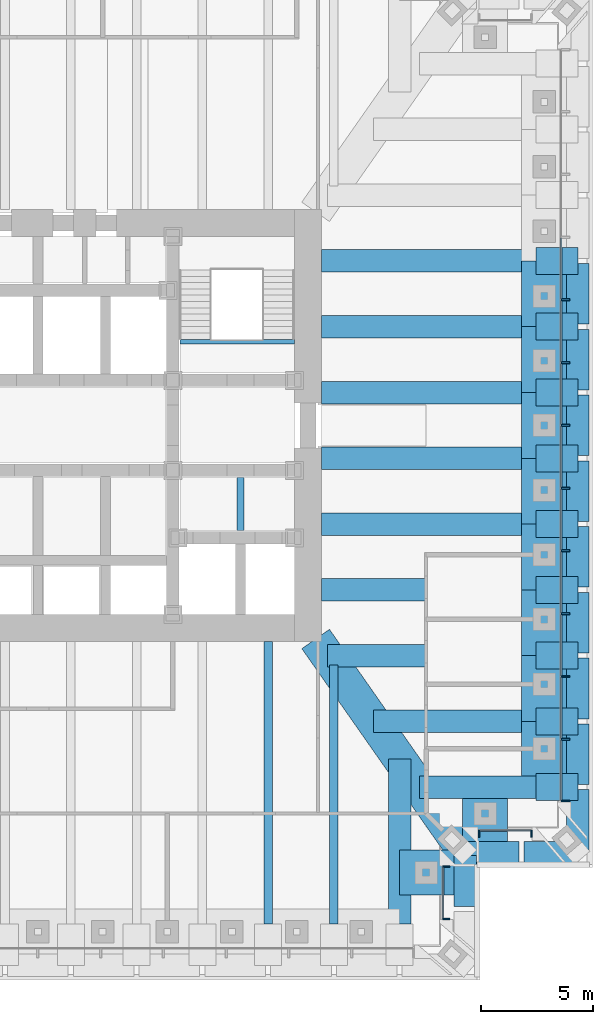
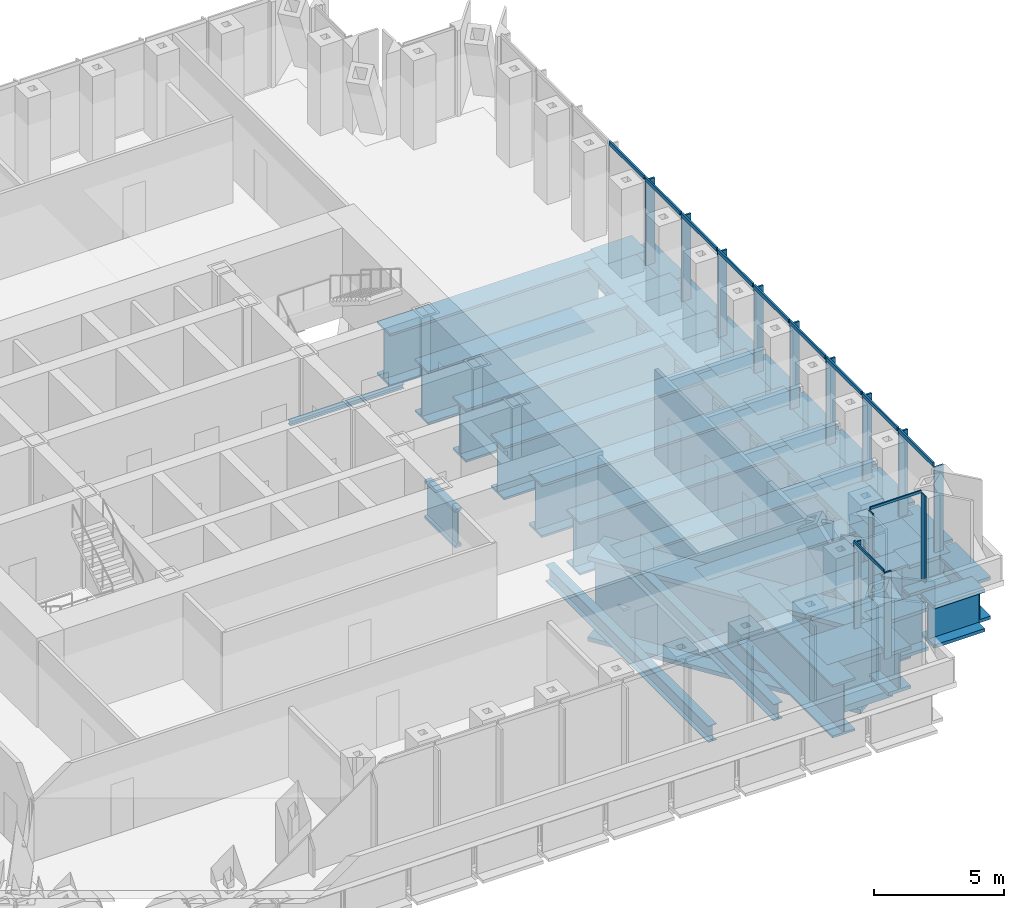
# One storey, part 4 of 13: 46 beams, 24 members, 3 elements without a shape of their own.
"""IFC4 building model written with IfcOpenShell, lengths in metres."""

from ifc_helpers import new_model, si_unit, direction, frame, origin, origin_2d, place, context, subcontext, project, spatial, rectangle, i_section, extrude, material, material_profile, profile_set, type_object, element, aggregate, save


model = new_model("IFC4")

# Units and contexts
model_context = context("Model", 3, precision=1e-05, world=origin(), true_north=direction((0.0, 1.0)))
body_context = subcontext(model_context, "Body", "Model", "MODEL_VIEW")
ifc_project = project(units=[si_unit("LENGTHUNIT", "METRE"), si_unit("AREAUNIT", "SQUARE_METRE"), si_unit("VOLUMEUNIT", "CUBIC_METRE"), si_unit("PLANEANGLEUNIT", "RADIAN"), si_unit("MASSUNIT", "GRAM", prefix="KILO")], contexts=[model_context])

# Site, building, storey
site_placement = place(None, origin())
site = spatial("IfcSite", under=ifc_project, at=site_placement, CompositionType="ELEMENT")
building_placement = place(site_placement, origin())
building = spatial("IfcBuilding", under=site, at=building_placement, Name="Daluyong Arena Tower", CompositionType="ELEMENT")
storey_placement = place(building_placement, frame((0.0, 0.0, 108.10009765625)))
storey = spatial("IfcBuildingStorey", under=building, at=storey_placement, Name="L23", CompositionType="ELEMENT", Elevation=108.10009765625)

# Curtain wall, members
ifc_material_1 = material(Name="Bronze anodised aluminium and glass", Category="aluminium")
curtain_wall_type_1 = type_object("IfcCurtainWallType", Name="Curtain wall CW2", PredefinedType="USERDEFINED", material=ifc_material_1)
curtain_wall_1_placement = place(storey_placement, origin())
curtain_wall_1 = element("IfcCurtainWall", 1, at=curtain_wall_1_placement, inside=storey, type_object=curtain_wall_type_1, Name="curtain wall L23 E", ObjectType="UNITISED CURTAIN WALL", PredefinedType="USERDEFINED")
ifc_material_2 = material(Name="Bronze anodised aluminium fin", Category="aluminium")
ifc_material_profile_1 = material_profile(ifc_material_2, rectangle(XDim=0.39990234375, YDim=0.080078125, at=origin_2d()))
ifc_profile_set_1 = profile_set([ifc_material_profile_1], Name="Bronze anodised aluminium fin")
member_type_1 = type_object("IfcMemberType", Name="CW2 bronze fin 400x80", PredefinedType="MULLION", material=ifc_profile_set_1)
member_1_placement = place(storey_placement, frame((79.449951171875, 63.305419921875, 0.0), z_axis=(0.0, 0.0, 1.0), x_axis=(-1.0, 0.0, 0.0)))
member_1 = element("IfcMember", 2, at=member_1_placement, type_object=member_type_1, Name="curtain wall L23 E fin 1", PredefinedType="MULLION", context=body_context, shape_type="SweptSolid", body=[
    extrude(rectangle(XDim=0.39990234375, YDim=0.080078125, at=origin_2d()), origin(), (0.0, 0.0, 1.0), 4.02001953125),
])
member_2_placement = place(storey_placement, frame((79.449951171875, 66.0546875, 0.0), z_axis=(0.0, 0.0, 1.0), x_axis=(-1.0, 0.0, 0.0)))
member_2 = element("IfcMember", 3, at=member_2_placement, type_object=member_type_1, Name="curtain wall L23 E fin 2", PredefinedType="MULLION", context=body_context, shape_type="SweptSolid", body=[
    extrude(rectangle(XDim=0.39990234375, YDim=0.080078125, at=origin_2d()), origin(), (0.0, 0.0, 1.0), 4.02001953125),
])
member_3_placement = place(storey_placement, frame((79.449951171875, 68.84375, 0.0), z_axis=(0.0, 0.0, 1.0), x_axis=(-1.0, 0.0, 0.0)))
member_3 = element("IfcMember", 4, at=member_3_placement, type_object=member_type_1, Name="curtain wall L23 E fin 3", PredefinedType="MULLION", context=body_context, shape_type="SweptSolid", body=[
    extrude(rectangle(XDim=0.39990234375, YDim=0.080078125, at=origin_2d()), origin(), (0.0, 0.0, 1.0), 4.02001953125),
])
member_4_placement = place(storey_placement, frame((79.449951171875, 71.6328125, 0.0), z_axis=(0.0, 0.0, 1.0), x_axis=(-1.0, 0.0, 0.0)))
member_4 = element("IfcMember", 5, at=member_4_placement, type_object=member_type_1, Name="curtain wall L23 E fin 4", PredefinedType="MULLION", context=body_context, shape_type="SweptSolid", body=[
    extrude(rectangle(XDim=0.39990234375, YDim=0.080078125, at=origin_2d()), origin(), (0.0, 0.0, 1.0), 4.02001953125),
])
member_5_placement = place(storey_placement, frame((79.449951171875, 74.421875, 0.0), z_axis=(0.0, 0.0, 1.0), x_axis=(-1.0, 0.0, 0.0)))
member_5 = element("IfcMember", 6, at=member_5_placement, type_object=member_type_1, Name="curtain wall L23 E fin 5", PredefinedType="MULLION", context=body_context, shape_type="SweptSolid", body=[
    extrude(rectangle(XDim=0.39990234375, YDim=0.080078125, at=origin_2d()), origin(), (0.0, 0.0, 1.0), 4.02001953125),
])
member_6_placement = place(storey_placement, frame((79.449951171875, 77.2109375, 0.0), z_axis=(0.0, 0.0, 1.0), x_axis=(-1.0, 0.0, 0.0)))
member_6 = element("IfcMember", 7, at=member_6_placement, type_object=member_type_1, Name="curtain wall L23 E fin 6", PredefinedType="MULLION", context=body_context, shape_type="SweptSolid", body=[
    extrude(rectangle(XDim=0.39990234375, YDim=0.080078125, at=origin_2d()), origin(), (0.0, 0.0, 1.0), 4.02001953125),
])
member_7_placement = place(storey_placement, frame((79.449951171875, 80.0, 0.0), z_axis=(0.0, 0.0, 1.0), x_axis=(-1.0, 0.0, 0.0)))
member_7 = element("IfcMember", 8, at=member_7_placement, type_object=member_type_1, Name="curtain wall L23 E fin 7", PredefinedType="MULLION", context=body_context, shape_type="SweptSolid", body=[
    extrude(rectangle(XDim=0.39990234375, YDim=0.080078125, at=origin_2d()), origin(), (0.0, 0.0, 1.0), 4.02001953125),
])
member_8_placement = place(storey_placement, frame((79.449951171875, 82.7890625, 0.0), z_axis=(0.0, 0.0, 1.0), x_axis=(-1.0, 0.0, 0.0)))
member_8 = element("IfcMember", 9, at=member_8_placement, type_object=member_type_1, Name="curtain wall L23 E fin 8", PredefinedType="MULLION", context=body_context, shape_type="SweptSolid", body=[
    extrude(rectangle(XDim=0.39990234375, YDim=0.080078125, at=origin_2d()), origin(), (0.0, 0.0, 1.0), 4.02001953125),
])
member_9_placement = place(storey_placement, frame((79.449951171875, 85.578125, 0.0), z_axis=(0.0, 0.0, 1.0), x_axis=(-1.0, 0.0, 0.0)))
member_9 = element("IfcMember", 10, at=member_9_placement, type_object=member_type_1, Name="curtain wall L23 E fin 9", PredefinedType="MULLION", context=body_context, shape_type="SweptSolid", body=[
    extrude(rectangle(XDim=0.39990234375, YDim=0.080078125, at=origin_2d()), origin(), (0.0, 0.0, 1.0), 4.02001953125),
])
ifc_material_3 = material(Name="Bronze anodised aluminium", Category="aluminium")
ifc_material_profile_2 = material_profile(ifc_material_3, rectangle(XDim=0.080078125, YDim=0.179931640625, at=origin_2d()))
ifc_profile_set_2 = profile_set([ifc_material_profile_2], Name="Bronze anodised aluminium")
member_type_2 = type_object("IfcMemberType", Name="CW2 stack transom 180x80", PredefinedType="USERDEFINED", material=ifc_profile_set_2)
member_10_placement = place(storey_placement, frame((79.25, 63.345458984375, 4.10986328125), z_axis=(0.0, 1.0, 0.0), x_axis=(-1.0, 0.0, 0.0)))
member_10 = element("IfcMember", 11, at=member_10_placement, type_object=member_type_2, Name="curtain wall L23 E transom 1", ObjectType="TRANSOM", PredefinedType="USERDEFINED", context=body_context, shape_type="SweptSolid", body=[
    extrude(rectangle(XDim=0.080078125, YDim=0.179931640625, at=origin_2d()), origin(), (0.0, 0.0, 1.0), 2.669189453125),
])
member_11_placement = place(storey_placement, frame((79.25, 66.094482421875, 4.10986328125), z_axis=(0.0, 1.0, 0.0), x_axis=(-1.0, 0.0, 0.0)))
member_11 = element("IfcMember", 12, at=member_11_placement, type_object=member_type_2, Name="curtain wall L23 E transom 2", ObjectType="TRANSOM", PredefinedType="USERDEFINED", context=body_context, shape_type="SweptSolid", body=[
    extrude(rectangle(XDim=0.080078125, YDim=0.179931640625, at=origin_2d()), origin(), (0.0, 0.0, 1.0), 2.709228515625),
])
member_12_placement = place(storey_placement, frame((79.25, 68.883544921875, 4.10986328125), z_axis=(0.0, 1.0, 0.0), x_axis=(-1.0, 0.0, 0.0)))
member_12 = element("IfcMember", 13, at=member_12_placement, type_object=member_type_2, Name="curtain wall L23 E transom 3", ObjectType="TRANSOM", PredefinedType="USERDEFINED", context=body_context, shape_type="SweptSolid", body=[
    extrude(rectangle(XDim=0.080078125, YDim=0.179931640625, at=origin_2d()), origin(), (0.0, 0.0, 1.0), 2.709228515625),
])
member_13_placement = place(storey_placement, frame((79.25, 71.6728515625, 4.10986328125), z_axis=(0.0, 1.0, 0.0), x_axis=(-1.0, 0.0, 0.0)))
member_13 = element("IfcMember", 14, at=member_13_placement, type_object=member_type_2, Name="curtain wall L23 E transom 4", ObjectType="TRANSOM", PredefinedType="USERDEFINED", context=body_context, shape_type="SweptSolid", body=[
    extrude(rectangle(XDim=0.080078125, YDim=0.179931640625, at=origin_2d()), origin(), (0.0, 0.0, 1.0), 2.708984375),
])
member_14_placement = place(storey_placement, frame((79.25, 74.4619140625, 4.10986328125), z_axis=(0.0, 1.0, 0.0), x_axis=(-1.0, 0.0, 0.0)))
member_14 = element("IfcMember", 15, at=member_14_placement, type_object=member_type_2, Name="curtain wall L23 E transom 5", ObjectType="TRANSOM", PredefinedType="USERDEFINED", context=body_context, shape_type="SweptSolid", body=[
    extrude(rectangle(XDim=0.080078125, YDim=0.179931640625, at=origin_2d()), origin(), (0.0, 0.0, 1.0), 2.708984375),
])
member_15_placement = place(storey_placement, frame((79.25, 77.2509765625, 4.10986328125), z_axis=(0.0, 1.0, 0.0), x_axis=(-1.0, 0.0, 0.0)))
member_15 = element("IfcMember", 16, at=member_15_placement, type_object=member_type_2, Name="curtain wall L23 E transom 6", ObjectType="TRANSOM", PredefinedType="USERDEFINED", context=body_context, shape_type="SweptSolid", body=[
    extrude(rectangle(XDim=0.080078125, YDim=0.179931640625, at=origin_2d()), origin(), (0.0, 0.0, 1.0), 2.708984375),
])
member_16_placement = place(storey_placement, frame((79.25, 80.0400390625, 4.10986328125), z_axis=(0.0, 1.0, 0.0), x_axis=(-1.0, 0.0, 0.0)))
member_16 = element("IfcMember", 17, at=member_16_placement, type_object=member_type_2, Name="curtain wall L23 E transom 7", ObjectType="TRANSOM", PredefinedType="USERDEFINED", context=body_context, shape_type="SweptSolid", body=[
    extrude(rectangle(XDim=0.080078125, YDim=0.179931640625, at=origin_2d()), origin(), (0.0, 0.0, 1.0), 2.708984375),
])
member_17_placement = place(storey_placement, frame((79.25, 82.8291015625, 4.10986328125), z_axis=(0.0, 1.0, 0.0), x_axis=(-1.0, 0.0, 0.0)))
member_17 = element("IfcMember", 18, at=member_17_placement, type_object=member_type_2, Name="curtain wall L23 E transom 8", ObjectType="TRANSOM", PredefinedType="USERDEFINED", context=body_context, shape_type="SweptSolid", body=[
    extrude(rectangle(XDim=0.080078125, YDim=0.179931640625, at=origin_2d()), origin(), (0.0, 0.0, 1.0), 2.708984375),
])
member_18_placement = place(storey_placement, frame((79.25, 85.6181640625, 4.10986328125), z_axis=(0.0, 1.0, 0.0), x_axis=(-1.0, 0.0, 0.0)))
member_18 = element("IfcMember", 19, at=member_18_placement, type_object=member_type_2, Name="curtain wall L23 E transom 9", ObjectType="TRANSOM", PredefinedType="USERDEFINED", context=body_context, shape_type="SweptSolid", body=[
    extrude(rectangle(XDim=0.080078125, YDim=0.179931640625, at=origin_2d()), origin(), (0.0, 0.0, 1.0), 2.708984375),
])
aggregate(curtain_wall_1, [member_1, member_2, member_3, member_4, member_5, member_6, member_7, member_8, member_9, member_10, member_11, member_12, member_13, member_14, member_15, member_16, member_17, member_18])

ifc_material_4 = material(Name="Bronze anodised aluminium and glass", Category="aluminium")
curtain_wall_type_2 = type_object("IfcCurtainWallType", Name="Curtain wall CW7", PredefinedType="USERDEFINED", material=ifc_material_4)
curtain_wall_2_placement = place(storey_placement, origin())
curtain_wall_2 = element("IfcCurtainWall", 20, at=curtain_wall_2_placement, inside=storey, type_object=curtain_wall_type_2, Name="curtain wall L23 SE-E", ObjectType="UNITISED CURTAIN WALL", PredefinedType="USERDEFINED")
ifc_material_5 = material(Name="Bronze anodised aluminium fin", Category="aluminium")
ifc_material_profile_3 = material_profile(ifc_material_5, rectangle(XDim=0.300048828125, YDim=0.06005859375, at=origin_2d()))
ifc_profile_set_3 = profile_set([ifc_material_profile_3], Name="Bronze anodised aluminium fin")
member_type_3 = type_object("IfcMemberType", Name="CW7 bronze fin 300x60", PredefinedType="MULLION", material=ifc_profile_set_3)
member_19_placement = place(storey_placement, frame((74.14990234375, 58.05908203125, 0.0), z_axis=(0.0, 0.0, 1.0), x_axis=(-1.0, 0.0, 0.0)))
member_19 = element("IfcMember", 21, at=member_19_placement, type_object=member_type_3, Name="curtain wall L23 SE-E fin 1", PredefinedType="MULLION", context=body_context, shape_type="SweptSolid", body=[
    extrude(rectangle(XDim=0.300048828125, YDim=0.06005859375, at=origin_2d()), origin(), (0.0, 0.0, 1.0), 4.079833984375),
])
member_20_placement = place(storey_placement, frame((74.14990234375, 60.39794921875, 0.0), z_axis=(0.0, 0.0, 1.0), x_axis=(-1.0, 0.0, 0.0)))
member_20 = element("IfcMember", 22, at=member_20_placement, type_object=member_type_3, Name="curtain wall L23 SE-E fin 2", PredefinedType="MULLION", context=body_context, shape_type="SweptSolid", body=[
    extrude(rectangle(XDim=0.300048828125, YDim=0.06005859375, at=origin_2d()), origin(), (0.0, 0.0, 1.0), 4.079833984375),
])

curtain_wall_3_placement = place(storey_placement, origin())
curtain_wall_3 = element("IfcCurtainWall", 23, at=curtain_wall_3_placement, inside=storey, type_object=curtain_wall_type_2, Name="curtain wall L23 SE-S", ObjectType="UNITISED CURTAIN WALL", PredefinedType="USERDEFINED")
member_21_placement = place(storey_placement, frame((75.60205078125, 61.85009765625, 0.0), z_axis=(0.0, 0.0, 1.0), x_axis=(0.0, 1.0, 0.0)))
member_21 = element("IfcMember", 24, at=member_21_placement, type_object=member_type_3, Name="curtain wall L23 SE-S fin 1", PredefinedType="MULLION", context=body_context, shape_type="SweptSolid", body=[
    extrude(rectangle(XDim=0.300048828125, YDim=0.06005859375, at=origin_2d()), origin(), (0.0, 0.0, 1.0), 4.079833984375),
])
member_22_placement = place(storey_placement, frame((77.94091796875, 61.85009765625, 0.0), z_axis=(0.0, 0.0, 1.0), x_axis=(0.0, 1.0, 0.0)))
member_22 = element("IfcMember", 25, at=member_22_placement, type_object=member_type_3, Name="curtain wall L23 SE-S fin 2", PredefinedType="MULLION", context=body_context, shape_type="SweptSolid", body=[
    extrude(rectangle(XDim=0.300048828125, YDim=0.06005859375, at=origin_2d()), origin(), (0.0, 0.0, 1.0), 4.079833984375),
])

# Member
ifc_material_6 = material(Name="Bronze anodised aluminium", Category="aluminium")
ifc_material_profile_4 = material_profile(ifc_material_6, rectangle(XDim=0.06005859375, YDim=0.1201171875, at=origin_2d()))
ifc_profile_set_4 = profile_set([ifc_material_profile_4], Name="Bronze anodised aluminium")
member_type_4 = type_object("IfcMemberType", Name="CW7 stack transom 120x60", PredefinedType="USERDEFINED", material=ifc_profile_set_4)
member_23_placement = place(storey_placement, frame((74.0, 58.089111328125, 4.139892578125), z_axis=(0.0, 1.0, 0.0), x_axis=(-1.0, 0.0, 0.0)))
member_23 = element("IfcMember", 26, at=member_23_placement, type_object=member_type_4, Name="curtain wall L23 SE-E transom 1", ObjectType="TRANSOM", PredefinedType="USERDEFINED", context=body_context, shape_type="SweptSolid", body=[
    extrude(rectangle(XDim=0.06005859375, YDim=0.1201171875, at=origin_2d()), origin(), (0.0, 0.0, 1.0), 2.27880859375),
])

aggregate(curtain_wall_2, [member_19, member_20, member_23])

member_24_placement = place(storey_placement, frame((75.632080078125, 62.0, 4.139892578125), z_axis=(1.0, 0.0, 0.0), x_axis=(0.0, 1.0, 0.0)))
member_24 = element("IfcMember", 27, at=member_24_placement, type_object=member_type_4, Name="curtain wall L23 SE-S transom 1", ObjectType="TRANSOM", PredefinedType="USERDEFINED", context=body_context, shape_type="SweptSolid", body=[
    extrude(rectangle(XDim=0.06005859375, YDim=0.1201171875, at=origin_2d()), origin(), (0.0, 0.0, 1.0), 2.27880859375),
])

aggregate(curtain_wall_3, [member_21, member_22, member_24])

# Beams
ifc_material_7 = material(Name="Steel ASTM A572 Grade 50", Category="steel")
ifc_material_profile_5 = material_profile(ifc_material_7, i_section(OverallWidth=1.0, OverallDepth=2.5, WebThickness=0.05, FlangeThickness=0.1, at=origin_2d()))
ifc_profile_set_5 = profile_set([ifc_material_profile_5], Name="Steel ASTM A572 Grade 50")
beam_type_1 = type_object("IfcBeamType", Name="Floor beam PG2500X1000", PredefinedType="BEAM", material=ifc_profile_set_5)
beam_1_placement = place(storey_placement, frame((72.076904296875, 57.85009765625, -1.5), z_axis=(0.0, 1.0, 0.0), x_axis=(-1.0, 0.0, 0.0)))
element("IfcBeam", 28, at=beam_1_placement, inside=storey, type_object=beam_type_1, Name="floor beam FB6", PredefinedType="BEAM", context=body_context, shape_type="SweptSolid", body=[
    extrude(i_section(OverallWidth=1.0, OverallDepth=2.5, WebThickness=0.05, FlangeThickness=0.1, at=origin_2d()), origin(), (0.0, 0.0, 1.0), 7.32568359375),
])
beam_2_placement = place(storey_placement, frame((78.14990234375, 63.923095703125, -1.5), z_axis=(-1.0, 0.0, 0.0), x_axis=(0.0, -1.0, 0.0)))
element("IfcBeam", 29, at=beam_2_placement, inside=storey, type_object=beam_type_1, Name="floor beam FB6", PredefinedType="BEAM", context=body_context, shape_type="SweptSolid", body=[
    extrude(i_section(OverallWidth=1.0, OverallDepth=2.5, WebThickness=0.05, FlangeThickness=0.1, at=origin_2d()), origin(), (0.0, 0.0, 1.0), 5.196044921875),
])
beam_3_placement = place(storey_placement, frame((78.14990234375, 66.84619140625, -1.5), z_axis=(-1.0, 0.0, 0.0), x_axis=(0.0, -1.0, 0.0)))
element("IfcBeam", 30, at=beam_3_placement, inside=storey, type_object=beam_type_1, Name="floor beam FB6", PredefinedType="BEAM", context=body_context, shape_type="SweptSolid", body=[
    extrude(i_section(OverallWidth=1.0, OverallDepth=2.5, WebThickness=0.05, FlangeThickness=0.1, at=origin_2d()), origin(), (0.0, 0.0, 1.0), 7.2421875),
])
beam_4_placement = place(storey_placement, frame((78.14990234375, 69.769287109375, -1.5), z_axis=(-1.0, 0.0, 0.0), x_axis=(0.0, -1.0, 0.0)))
element("IfcBeam", 31, at=beam_4_placement, inside=storey, type_object=beam_type_1, Name="floor beam FB6", PredefinedType="BEAM", context=body_context, shape_type="SweptSolid", body=[
    extrude(i_section(OverallWidth=1.0, OverallDepth=2.5, WebThickness=0.05, FlangeThickness=0.1, at=origin_2d()), origin(), (0.0, 0.0, 1.0), 9.288330078125),
])
for number, where, z_axis, x_axis, name in (
    (32, (78.14990234375, 72.6923828125, -1.5), (-1.0, 0.0, 0.0), (0.0, -1.0, 0.0), "floor beam FB6"),
    (33, (78.14990234375, 75.615478515625, -1.5), (-1.0, 0.0, 0.0), (0.0, -1.0, 0.0), "floor beam FB6"),
    (34, (78.14990234375, 78.53857421875, -1.5), (-1.0, 0.0, 0.0), (0.0, -1.0, 0.0), "floor beam FB6"),
    (35, (78.14990234375, 81.46142578125, -1.5), (-1.0, 0.0, 0.0), (0.0, -1.0, 0.0), "floor beam FB6"),
    (36, (78.14990234375, 84.384521484375, -1.5), (-1.0, 0.0, 0.0), (0.0, -1.0, 0.0), "floor beam FB6"),
    (37, (78.14990234375, 87.3076171875, -1.5), (-1.0, 0.0, 0.0), (0.0, -1.0, 0.0), "floor beam FB6"),
):
    element("IfcBeam", number, at=place(storey_placement, frame(where, z_axis=z_axis, x_axis=x_axis)), inside=storey, type_object=beam_type_1, Name=name, PredefinedType="BEAM", context=body_context, shape_type="SweptSolid", body=[
        extrude(i_section(OverallWidth=1.0, OverallDepth=2.5, WebThickness=0.05, FlangeThickness=0.1, at=origin_2d()), origin(), (0.0, 0.0, 1.0), 9.5498046875),
    ])
ifc_material_8 = material(Name="Steel ASTM A992 Grade 50", Category="steel")
ifc_material_profile_6 = material_profile(ifc_material_8, i_section(OverallWidth=0.381103515625, OverallDepth=0.772216796875, WebThickness=0.0166015625, FlangeThickness=0.027099609375, at=origin_2d()))
ifc_profile_set_6 = profile_set([ifc_material_profile_6], Name="Steel ASTM A992 Grade 50")
beam_type_2 = type_object("IfcBeamType", Name="Floor beam W30X173", PredefinedType="BEAM", material=ifc_profile_set_6)
beam_5_placement = place(storey_placement, frame((66.230712890625, 57.85009765625, -0.63623046875), z_axis=(0.0, 1.0, 0.0), x_axis=(-1.0, 0.0, 0.0)))
element("IfcBeam", 38, at=beam_5_placement, inside=storey, type_object=beam_type_2, Name="floor beam FB2", PredefinedType="BEAM", context=body_context, shape_type="SweptSolid", body=[
    extrude(i_section(OverallWidth=0.381103515625, OverallDepth=0.772216796875, WebThickness=0.0166015625, FlangeThickness=0.027099609375, at=origin_2d()), origin(), (0.0, 0.0, 1.0), 12.5498046875),
])
beam_6_placement = place(storey_placement, frame((69.15380859375, 57.85009765625, -0.63623046875), z_axis=(0.0, 1.0, 0.0), x_axis=(-1.0, 0.0, 0.0)))
element("IfcBeam", 39, at=beam_6_placement, inside=storey, type_object=beam_type_2, Name="floor beam FB2", PredefinedType="BEAM", context=body_context, shape_type="SweptSolid", body=[
    extrude(i_section(OverallWidth=0.381103515625, OverallDepth=0.772216796875, WebThickness=0.0166015625, FlangeThickness=0.027099609375, at=origin_2d()), origin(), (0.0, 0.0, 1.0), 11.50146484375),
])
ifc_material_9 = material(Name="Steel ASTM A588 Grade 50", Category="steel")
ifc_material_profile_7 = material_profile(ifc_material_9, i_section(OverallWidth=0.300048828125, OverallDepth=1.800048828125, WebThickness=0.05, FlangeThickness=0.12, at=origin_2d()))
ifc_profile_set_7 = profile_set([ifc_material_profile_7], Name="Steel ASTM A588 Grade 50")
beam_type_3 = type_object("IfcBeamType", Name="Lift divider beam PG1800X300", PredefinedType="BEAM", material=ifc_profile_set_7)
beam_7_placement = place(storey_placement, frame((65.0, 75.324951171875, -1.150146484375), z_axis=(0.0, 1.0, 0.0), x_axis=(-1.0, 0.0, 0.0)))
element("IfcBeam", 40, at=beam_7_placement, inside=storey, type_object=beam_type_3, Name="lift divider beam DB3", PredefinedType="BEAM", context=body_context, shape_type="SweptSolid", body=[
    extrude(i_section(OverallWidth=0.300048828125, OverallDepth=1.800048828125, WebThickness=0.05, FlangeThickness=0.12, at=origin_2d()), origin(), (0.0, 0.0, 1.0), 2.35009765625),
])
ifc_material_10 = material(Name="Steel ASTM A588 Grade 50", Category="steel")
ifc_material_profile_8 = material_profile(ifc_material_10, i_section(OverallWidth=1.0, OverallDepth=2.0, WebThickness=0.06, FlangeThickness=0.15, at=origin_2d()))
ifc_profile_set_8 = profile_set([ifc_material_profile_8], Name="Steel ASTM A588 Grade 50")
beam_type_4 = type_object("IfcBeamType", Name="Spandrel Z1 PG2000X1000", PredefinedType="SPANDREL", material=ifc_profile_set_8)
for number, where, z_axis, x_axis, name in (
    (41, (75.0, 58.614990234375, -1.25), (0.0, 1.0, 0.0), (-1.0, 0.0, 0.0), "spandrel z1 SB2"),
    (42, (75.114990234375, 61.0, -1.25), (1.0, 0.0, 0.0), (0.0, 1.0, 0.0), "spandrel z1 SB2"),
    (43, (77.614990234375, 61.0, -1.25), (1.0, 0.0, 0.0), (0.0, 1.0, 0.0), "spandrel z1 SB2"),
):
    element("IfcBeam", number, at=place(storey_placement, frame(where, z_axis=z_axis, x_axis=x_axis)), inside=storey, type_object=beam_type_4, Name=name, PredefinedType="SPANDREL", context=body_context, shape_type="SweptSolid", body=[
        extrude(i_section(OverallWidth=1.0, OverallDepth=2.0, WebThickness=0.06, FlangeThickness=0.15, at=origin_2d()), origin(), (0.0, 0.0, 1.0), 2.27001953125),
    ])
for number, where, z_axis, x_axis, name in (
    (44, (80.0, 61.114990234375, -1.25), (0.0, 1.0, 0.0), (-1.0, 0.0, 0.0), "spandrel z1 SB2"),
    (45, (80.0, 64.0380859375, -1.25), (0.0, 1.0, 0.0), (-1.0, 0.0, 0.0), "spandrel z1 SB2"),
    (46, (80.0, 66.961181640625, -1.25), (0.0, 1.0, 0.0), (-1.0, 0.0, 0.0), "spandrel z1 SB2"),
    (47, (80.0, 69.88427734375, -1.25), (0.0, 1.0, 0.0), (-1.0, 0.0, 0.0), "spandrel z1 SB2"),
    (48, (80.0, 72.807373046875, -1.25), (0.0, 1.0, 0.0), (-1.0, 0.0, 0.0), "spandrel z1 SB2"),
    (49, (80.0, 75.73046875, -1.25), (0.0, 1.0, 0.0), (-1.0, 0.0, 0.0), "spandrel z1 SB2"),
):
    element("IfcBeam", number, at=place(storey_placement, frame(where, z_axis=z_axis, x_axis=x_axis)), inside=storey, type_object=beam_type_4, Name=name, PredefinedType="SPANDREL", context=body_context, shape_type="SweptSolid", body=[
        extrude(i_section(OverallWidth=1.0, OverallDepth=2.0, WebThickness=0.06, FlangeThickness=0.15, at=origin_2d()), origin(), (0.0, 0.0, 1.0), 2.693115234375),
    ])
beam_8_placement = place(storey_placement, frame((80.0, 78.653564453125, -1.25), z_axis=(0.0, 1.0, 0.0), x_axis=(-1.0, 0.0, 0.0)))
element("IfcBeam", 50, at=beam_8_placement, inside=storey, type_object=beam_type_4, Name="spandrel z1 SB2", PredefinedType="SPANDREL", context=body_context, shape_type="SweptSolid", body=[
    extrude(i_section(OverallWidth=1.0, OverallDepth=2.0, WebThickness=0.06, FlangeThickness=0.15, at=origin_2d()), origin(), (0.0, 0.0, 1.0), 2.69287109375),
])
for number, where, z_axis, x_axis, name in (
    (51, (80.0, 81.576416015625, -1.25), (0.0, 1.0, 0.0), (-1.0, 0.0, 0.0), "spandrel z1 SB2"),
    (52, (80.0, 84.49951171875, -1.25), (0.0, 1.0, 0.0), (-1.0, 0.0, 0.0), "spandrel z1 SB2"),
):
    element("IfcBeam", number, at=place(storey_placement, frame(where, z_axis=z_axis, x_axis=x_axis)), inside=storey, type_object=beam_type_4, Name=name, PredefinedType="SPANDREL", context=body_context, shape_type="SweptSolid", body=[
        extrude(i_section(OverallWidth=1.0, OverallDepth=2.0, WebThickness=0.06, FlangeThickness=0.15, at=origin_2d()), origin(), (0.0, 0.0, 1.0), 2.693115234375),
    ])
ifc_material_11 = material(Name="Steel ASTM A992 Grade 50", Category="steel")
ifc_material_profile_9 = material_profile(ifc_material_11, i_section(OverallWidth=0.203125, OverallDepth=0.203125, WebThickness=0.00732421875, FlangeThickness=0.010986328125, at=origin_2d()))
ifc_profile_set_9 = profile_set([ifc_material_profile_9], Name="Steel ASTM A992 Grade 50")
beam_type_5 = type_object("IfcBeamType", Name="Stair landing beam W8X31", PredefinedType="BEAM", material=ifc_profile_set_9)
beam_9_placement = place(storey_placement, frame((62.324951171875, 83.723388671875, -0.351806640625), z_axis=(1.0, 0.0, 0.0), x_axis=(0.0, 1.0, 0.0)))
element("IfcBeam", 53, at=beam_9_placement, inside=storey, type_object=beam_type_5, Name="exit stair B landing beam", PredefinedType="BEAM", context=body_context, shape_type="SweptSolid", body=[
    extrude(i_section(OverallWidth=0.203125, OverallDepth=0.203125, WebThickness=0.00732421875, FlangeThickness=0.010986328125, at=origin_2d()), origin(), (0.0, 0.0, 1.0), 5.074951171875),
])
ifc_material_12 = material(Name="Steel ASTM A588 Grade 50", Category="steel")
ifc_material_profile_10 = material_profile(ifc_material_12, i_section(OverallWidth=1.199951171875, OverallDepth=1.5, WebThickness=0.08, FlangeThickness=0.15, at=origin_2d()))
ifc_profile_set_10 = profile_set([ifc_material_profile_10], Name="Steel ASTM A588 Grade 50")
beam_type_6 = type_object("IfcBeamType", Name="Transfer beam PG1500X1200", PredefinedType="BEAM", material=ifc_profile_set_10)
for number, where, z_axis, x_axis, name in (
    (54, (80.0, 63.923095703125, -1.0), (-1.0, 0.0, 0.0), (0.0, -1.0, 0.0), "transfer beam TR4"),
    (55, (80.0, 66.84619140625, -1.0), (-1.0, 0.0, 0.0), (0.0, -1.0, 0.0), "transfer beam TR4"),
    (56, (80.0, 69.769287109375, -1.0), (-1.0, 0.0, 0.0), (0.0, -1.0, 0.0), "transfer beam TR4"),
    (57, (80.0, 72.6923828125, -1.0), (-1.0, 0.0, 0.0), (0.0, -1.0, 0.0), "transfer beam TR4"),
    (58, (80.0, 75.615478515625, -1.0), (-1.0, 0.0, 0.0), (0.0, -1.0, 0.0), "transfer beam TR4"),
    (59, (80.0, 78.53857421875, -1.0), (-1.0, 0.0, 0.0), (0.0, -1.0, 0.0), "transfer beam TR4"),
    (60, (80.0, 81.46142578125, -1.0), (-1.0, 0.0, 0.0), (0.0, -1.0, 0.0), "transfer beam TR4"),
    (61, (80.0, 84.384521484375, -1.0), (-1.0, 0.0, 0.0), (0.0, -1.0, 0.0), "transfer beam TR4"),
    (62, (80.0, 87.3076171875, -1.0), (-1.0, 0.0, 0.0), (0.0, -1.0, 0.0), "transfer beam TR4"),
):
    element("IfcBeam", number, at=place(storey_placement, frame(where, z_axis=z_axis, x_axis=x_axis)), inside=storey, type_object=beam_type_6, Name=name, PredefinedType="BEAM", context=body_context, shape_type="SweptSolid", body=[
        extrude(i_section(OverallWidth=1.199951171875, OverallDepth=1.5, WebThickness=0.08, FlangeThickness=0.15, at=origin_2d()), origin(), (0.0, 0.0, 1.0), 1.85009765625),
    ])
ifc_material_13 = material(Name="Steel ASTM A36", Category="steel")
ifc_material_profile_11 = material_profile(ifc_material_13, i_section(OverallWidth=2.0, OverallDepth=2.5, WebThickness=0.12, FlangeThickness=0.3, at=origin_2d()))
ifc_profile_set_11 = profile_set([ifc_material_profile_11], Name="Steel ASTM A36")
beam_type_7 = type_object("IfcBeamType", Name="Transfer beam PG2500X2000", PredefinedType="BEAM", material=ifc_profile_set_11)
for number, where, z_axis, x_axis, name in (
    (63, (72.076904296875, 60.125, -1.5), (1.0, 0.0, 0.0), (0.0, 1.0, 0.0), "transfer beam TR3"),
    (64, (75.875, 61.0, -1.5), (0.0, 1.0, 0.0), (-1.0, 0.0, 0.0), "transfer beam TR3"),
    (65, (78.5, 63.923095703125, -1.5), (0.0, 1.0, 0.0), (-1.0, 0.0, 0.0), "transfer beam TR3"),
    (66, (78.5, 66.84619140625, -1.5), (0.0, 1.0, 0.0), (-1.0, 0.0, 0.0), "transfer beam TR3"),
    (67, (78.5, 69.769287109375, -1.5), (0.0, 1.0, 0.0), (-1.0, 0.0, 0.0), "transfer beam TR3"),
    (68, (78.5, 72.6923828125, -1.5), (0.0, 1.0, 0.0), (-1.0, 0.0, 0.0), "transfer beam TR3"),
    (69, (78.5, 75.615478515625, -1.5), (0.0, 1.0, 0.0), (-1.0, 0.0, 0.0), "transfer beam TR3"),
):
    element("IfcBeam", number, at=place(storey_placement, frame(where, z_axis=z_axis, x_axis=x_axis)), inside=storey, type_object=beam_type_7, Name=name, PredefinedType="BEAM", context=body_context, shape_type="SweptSolid", body=[
        extrude(i_section(OverallWidth=2.0, OverallDepth=2.5, WebThickness=0.12, FlangeThickness=0.3, at=origin_2d()), origin(), (0.0, 0.0, 1.0), 2.923095703125),
    ])
beam_10_placement = place(storey_placement, frame((78.5, 78.53857421875, -1.5), z_axis=(0.0, 1.0, 0.0), x_axis=(-1.0, 0.0, 0.0)))
element("IfcBeam", 70, at=beam_10_placement, inside=storey, type_object=beam_type_7, Name="transfer beam TR3", PredefinedType="BEAM", context=body_context, shape_type="SweptSolid", body=[
    extrude(i_section(OverallWidth=2.0, OverallDepth=2.5, WebThickness=0.12, FlangeThickness=0.3, at=origin_2d()), origin(), (0.0, 0.0, 1.0), 2.9228515625),
])
for number, where, z_axis, x_axis, name in (
    (71, (78.5, 81.46142578125, -1.5), (0.0, 1.0, 0.0), (-1.0, 0.0, 0.0), "transfer beam TR3"),
    (72, (78.5, 84.384521484375, -1.5), (0.0, 1.0, 0.0), (-1.0, 0.0, 0.0), "transfer beam TR3"),
):
    element("IfcBeam", number, at=place(storey_placement, frame(where, z_axis=z_axis, x_axis=x_axis)), inside=storey, type_object=beam_type_7, Name=name, PredefinedType="BEAM", context=body_context, shape_type="SweptSolid", body=[
        extrude(i_section(OverallWidth=2.0, OverallDepth=2.5, WebThickness=0.12, FlangeThickness=0.3, at=origin_2d()), origin(), (0.0, 0.0, 1.0), 2.923095703125),
    ])
ifc_material_14 = material(Name="Steel ASTM A588 Grade 50", Category="steel")
ifc_material_profile_12 = material_profile(ifc_material_14, i_section(OverallWidth=1.5, OverallDepth=4.0, WebThickness=0.1, FlangeThickness=0.2, at=origin_2d()))
ifc_profile_set_12 = profile_set([ifc_material_profile_12], Name="Steel ASTM A588 Grade 50")
beam_type_8 = type_object("IfcBeamType", Name="Transfer beam PG4000X1500", PredefinedType="BEAM", material=ifc_profile_set_12)
beam_11_placement = place(storey_placement, frame((75.0, 61.0, -2.25), z_axis=(-0.573463756074, 0.81923093232, 0.0), x_axis=(-0.81923093232, -0.573463756074, 0.0)))
element("IfcBeam", 73, at=beam_11_placement, inside=storey, type_object=beam_type_8, Name="transfer beam TR1", PredefinedType="BEAM", context=body_context, shape_type="SweptSolid", body=[
    extrude(i_section(OverallWidth=1.5, OverallDepth=4.0, WebThickness=0.1, FlangeThickness=0.2, at=origin_2d()), origin(), (0.0, 0.0, 1.0), 11.606689453125),
])

save(model, "model.ifc")
